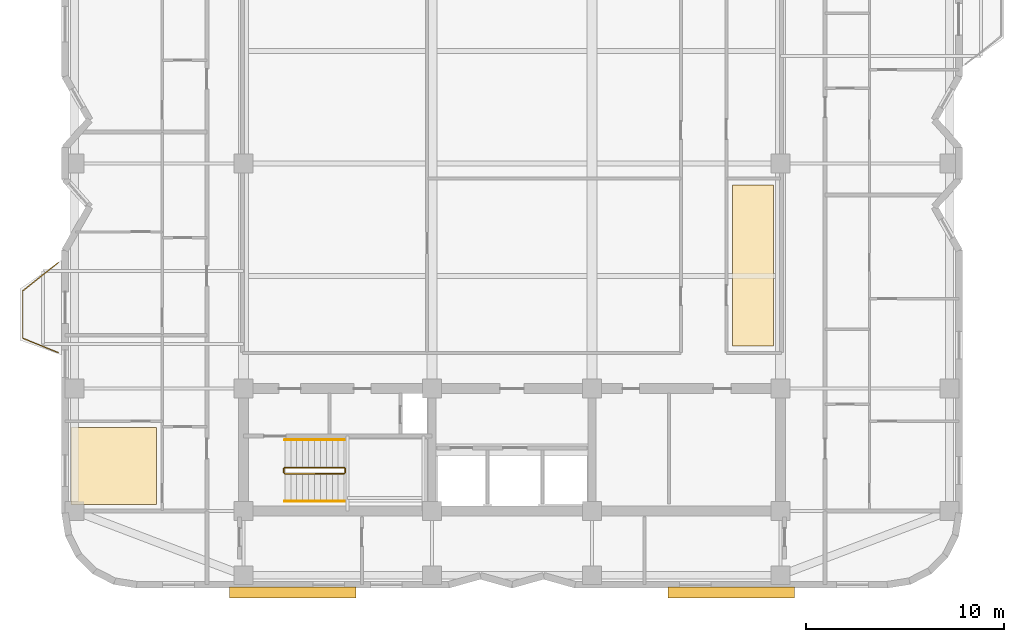
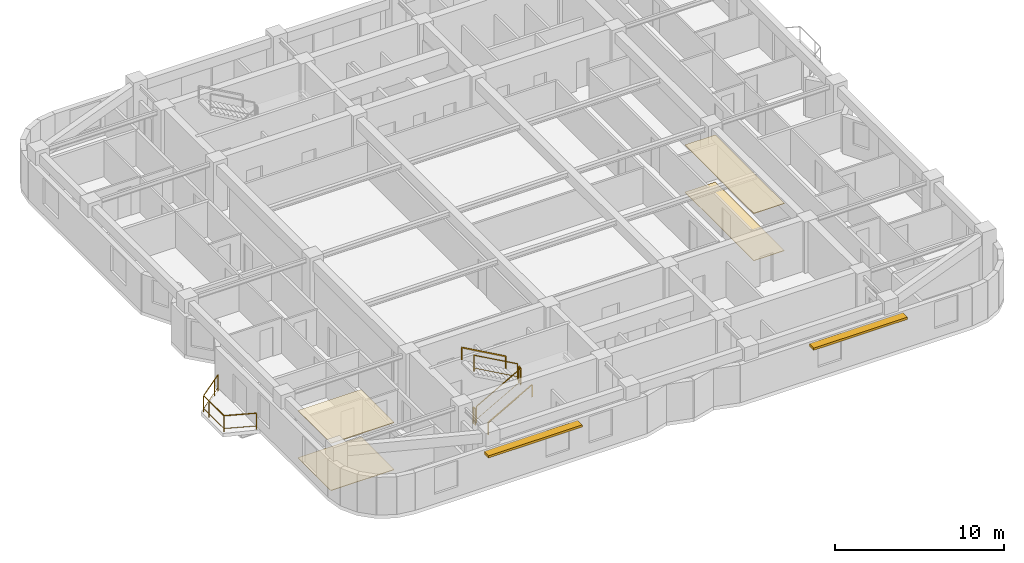
# One storey, part 8 of 9: 7 railings, 4 coverings, 2 shading devices.
"""IFC4 building model written with IfcOpenShell, lengths in metres."""

from ifc_helpers import new_model, si_unit, direction, frame, origin, origin_2d, place, context, subcontext, project, spatial, polyline, rectangle, outline, extrude, material, layer, layer_set, type_object, element, save


model = new_model("IFC4")

# Units and contexts
model_context = context("Model", 3, precision=1e-05, world=origin(), true_north=direction((0.0, 1.0)))
body_context = subcontext(model_context, "Body", "Model", "MODEL_VIEW")
ifc_project = project(units=[si_unit("LENGTHUNIT", "METRE"), si_unit("AREAUNIT", "SQUARE_METRE"), si_unit("VOLUMEUNIT", "CUBIC_METRE"), si_unit("PLANEANGLEUNIT", "RADIAN"), si_unit("MASSUNIT", "GRAM", prefix="KILO")], contexts=[model_context])

# Site, building, storey
site_placement = place(None, origin())
site = spatial("IfcSite", under=ifc_project, at=site_placement, CompositionType="ELEMENT")
building_placement = place(site_placement, origin())
building = spatial("IfcBuilding", under=site, at=building_placement, Name="Svetorya Sky Lyceum", CompositionType="ELEMENT")
storey_placement = place(building_placement, frame((0.0, 0.0, 166.300048828125)))
storey = spatial("IfcBuildingStorey", under=building, at=storey_placement, Name="L41", CompositionType="ELEMENT", Elevation=166.300048828125)

# Coverings
ifc_material_1 = material(Name="Anodized aluminium linear acoustic ceiling baffle", Category="aluminium")
ifc_layer_1 = layer(ifc_material_1, 0.0400390625)
ifc_layer_set_1 = layer_set([ifc_layer_1], Name="Anodized aluminium linear acoustic ceiling baffle")
covering_type_1 = type_object("IfcCoveringType", Name="COV-CLG-BAF40", PredefinedType="CEILING", material=ifc_layer_set_1)
covering_1_placement = place(storey_placement, frame((0.0, 0.0, 3.39990234375)))
element("IfcCovering", 1, at=covering_1_placement, inside=storey, type_object=covering_type_1, Name="Residents Club Hall L41 Acoustic Ceiling", PredefinedType="CEILING", context=body_context, shape_type="SweptSolid", body=[
    extrude(outline(polyline([(50.3701171875, 18.949951171875), (52.449951171875, 18.949951171875), (52.449951171875, 27.1044921875), (50.3701171875, 27.1044921875), (50.3701171875, 18.949951171875)])), origin(), (0.0, 0.0, 1.0), 0.0400390625),
])
covering_2_placement = place(storey_placement, frame((0.0, 0.0, 3.39990234375)))
element("IfcCovering", 2, at=covering_2_placement, inside=storey, type_object=covering_type_1, Name="Apartment W1 Living Room Acoustic Ceiling", PredefinedType="CEILING", context=body_context, shape_type="SweptSolid", body=[
    extrude(outline(polyline([(16.8701171875, 10.929931640625), (21.18994140625, 10.929931640625), (21.18994140625, 14.840087890625), (16.8701171875, 14.840087890625), (16.8701171875, 10.929931640625)])), origin(), (0.0, 0.0, 1.0), 0.0400390625),
])
ifc_material_2 = material(Name="Flamed granite slip-resistant lobby flooring", Category="masonry")
ifc_layer_2 = layer(ifc_material_2, 0.034912109375)
ifc_layer_set_2 = layer_set([ifc_layer_2], Name="Flamed granite slip-resistant lobby flooring")
covering_type_2 = type_object("IfcCoveringType", Name="COV-FLR-GRN", PredefinedType="FLOORING", material=ifc_layer_set_2)
covering_3_placement = place(storey_placement, origin())
element("IfcCovering", 3, at=covering_3_placement, inside=storey, type_object=covering_type_2, Name="Residents Club Hall L41 Architectural Flooring", PredefinedType="FLOORING", context=body_context, shape_type="SweptSolid", body=[
    extrude(outline(polyline([(50.3701171875, 18.949951171875), (52.449951171875, 18.949951171875), (52.449951171875, 27.1044921875), (50.3701171875, 27.1044921875), (50.3701171875, 18.949951171875)])), origin(), (0.0, 0.0, 1.0), 0.034912109375),
])
covering_4_placement = place(storey_placement, origin())
element("IfcCovering", 4, at=covering_4_placement, inside=storey, type_object=covering_type_2, Name="Apartment W1 Living Room Architectural Flooring", PredefinedType="FLOORING", context=body_context, shape_type="SweptSolid", body=[
    extrude(outline(polyline([(16.8701171875, 10.929931640625), (21.18994140625, 10.929931640625), (21.18994140625, 14.840087890625), (16.8701171875, 14.840087890625), (16.8701171875, 10.929931640625)])), origin(), (0.0, 0.0, 1.0), 0.034912109375),
])

# Railings
ifc_material_3 = material(Name="Laminated safety glass and stainless AISI 316", Category="glass")
railing_type_1 = type_object("IfcRailingType", Name="RL-BAL-1200", PredefinedType="BALUSTRADE", material=ifc_material_3)
railing_1_placement = place(storey_placement, frame((16.22998046875, 18.6201171875, 0.0)))
element("IfcRailing", 5, at=railing_1_placement, inside=storey, type_object=railing_type_1, Name="L41 Balcony Balustrade BAL-W1", PredefinedType="BALUSTRADE", context=body_context, shape_type="SweptSolid", body=[
    extrude(rectangle(XDim=0.048095703125, YDim=0.048095703125, at=origin_2d()), frame((0.0, 0.0, 1.17578125), z_axis=(-0.926697865975, 0.375807218129, 0.0), x_axis=(-0.375807218129, -0.926697865975, 0.0)), (0.0, 0.0, 1.0), 1.9423828125),
    extrude(rectangle(XDim=0.02392578125, YDim=0.02392578125, at=origin_2d()), frame((0.0, 0.0, 0.25), z_axis=(-0.926697865975, 0.375807218129, 0.0), x_axis=(-0.375807218129, -0.926697865975, 0.0)), (0.0, 0.0, 1.0), 1.9423828125),
    extrude(rectangle(XDim=0.048095703125, YDim=0.048095703125, at=origin_2d()), frame((-1.800048828125, 0.72998046875, 1.17578125), z_axis=(0.0, 1.0, 0.0), x_axis=(-1.0, 0.0, 0.0)), (0.0, 0.0, 1.0), 2.39990234375),
    extrude(rectangle(XDim=0.02392578125, YDim=0.02392578125, at=origin_2d()), frame((-1.800048828125, 0.72998046875, 0.25), z_axis=(0.0, 1.0, 0.0), x_axis=(-1.0, 0.0, 0.0)), (0.0, 0.0, 1.0), 2.39990234375),
    extrude(rectangle(XDim=0.048095703125, YDim=0.048095703125, at=origin_2d()), frame((-1.800048828125, 3.1298828125, 1.17578125), z_axis=(0.783008919264, 0.622010476079, 0.0), x_axis=(-0.622010476079, 0.783008919264, 0.0)), (0.0, 0.0, 1.0), 2.298828125),
    extrude(rectangle(XDim=0.02392578125, YDim=0.02392578125, at=origin_2d()), frame((-1.800048828125, 3.1298828125, 0.25), z_axis=(0.783008919264, 0.622010476079, 0.0), x_axis=(-0.622010476079, 0.783008919264, 0.0)), (0.0, 0.0, 1.0), 2.298828125),
    extrude(rectangle(XDim=0.0419921875, YDim=0.0419921875, at=origin_2d()), origin(), (0.0, 0.0, 1.0), 1.15185546875),
    extrude(rectangle(XDim=0.0419921875, YDim=0.0419921875, at=origin_2d()), frame((-1.800048828125, 0.72998046875, 0.0)), (0.0, 0.0, 1.0), 1.15185546875),
    extrude(rectangle(XDim=0.0419921875, YDim=0.0419921875, at=origin_2d()), frame((-1.800048828125, 2.47998046875, 0.0)), (0.0, 0.0, 1.0), 1.15185546875),
    extrude(rectangle(XDim=0.0419921875, YDim=0.0419921875, at=origin_2d()), frame((-1.800048828125, 3.1298828125, 0.0)), (0.0, 0.0, 1.0), 1.15185546875),
    extrude(rectangle(XDim=0.0419921875, YDim=0.0419921875, at=origin_2d()), frame((-0.4296875, 4.218505859375, 0.0)), (0.0, 0.0, 1.0), 1.15185546875),
    extrude(rectangle(XDim=0.0419921875, YDim=0.0419921875, at=origin_2d()), frame((0.0, 4.559814453125, 0.0)), (0.0, 0.0, 1.0), 1.15185546875),
])
ifc_material_4 = material(Name="Painted galvanized stair well guard")
railing_type_2 = type_object("IfcRailingType", Name="RL-STR-GUARD-1200", PredefinedType="GUARDRAIL", material=ifc_material_4)
railing_2_placement = place(storey_placement, frame((27.699951171875, 12.5, 0.168212890625)))
element("IfcRailing", 6, at=railing_2_placement, inside=storey, type_object=railing_type_2, Name="L41 ST-S stair guard 1", PredefinedType="GUARDRAIL", context=body_context, shape_type="SweptSolid", body=[
    extrude(rectangle(XDim=0.048095703125, YDim=0.048095703125, at=origin_2d()), frame((0.0, 0.0, 1.17578125), z_axis=(0.872302573547, 0.0, 0.488966481656), x_axis=(0.0, 1.0, 0.0)), (0.0, 0.0, 1.0), 3.439208984375),
    extrude(rectangle(XDim=0.02392578125, YDim=0.02392578125, at=origin_2d()), frame((0.0, 0.0, 0.25), z_axis=(0.872302573547, 0.0, 0.488966481656), x_axis=(0.0, 1.0, 0.0)), (0.0, 0.0, 1.0), 3.439208984375),
    extrude(rectangle(XDim=0.0419921875, YDim=0.0419921875, at=origin_2d()), origin(), (0.0, 0.0, 1.0), 1.15185546875),
    extrude(rectangle(XDim=0.0419921875, YDim=0.0419921875, at=origin_2d()), frame((3.0, 0.0, 1.681640625)), (0.0, 0.0, 1.0), 1.15185546875),
])
railing_3_placement = place(storey_placement, frame((30.75, 12.550048828125, 1.849853515625)))
element("IfcRailing", 7, at=railing_3_placement, inside=storey, type_object=railing_type_2, Name="L41 ST-S stair guard 2", PredefinedType="GUARDRAIL", context=body_context, shape_type="SweptSolid", body=[
    extrude(rectangle(XDim=0.048095703125, YDim=0.048095703125, at=origin_2d()), frame((0.0, 0.0, 1.17578125), z_axis=(0.0, 1.0, 0.0), x_axis=(-1.0, 0.0, 0.0)), (0.0, 0.0, 1.0), 0.199951171875),
    extrude(rectangle(XDim=0.02392578125, YDim=0.02392578125, at=origin_2d()), frame((0.0, 0.0, 0.25), z_axis=(0.0, 1.0, 0.0), x_axis=(-1.0, 0.0, 0.0)), (0.0, 0.0, 1.0), 0.199951171875),
    extrude(rectangle(XDim=0.0419921875, YDim=0.0419921875, at=origin_2d()), origin(), (0.0, 0.0, 1.0), 1.15185546875),
    extrude(rectangle(XDim=0.0419921875, YDim=0.0419921875, at=origin_2d()), frame((0.0, 0.199951171875, 0.0)), (0.0, 0.0, 1.0), 1.15185546875),
])
railing_4_placement = place(storey_placement, frame((30.699951171875, 12.800048828125, 2.01806640625)))
element("IfcRailing", 8, at=railing_4_placement, inside=storey, type_object=railing_type_2, Name="L41 ST-S stair guard 3", PredefinedType="GUARDRAIL", context=body_context, shape_type="SweptSolid", body=[
    extrude(rectangle(XDim=0.048095703125, YDim=0.048095703125, at=origin_2d()), frame((0.0, 0.0, 1.17578125), z_axis=(-0.872272294576, 0.0, 0.489020494575), x_axis=(0.0, -1.0, 0.0)), (0.0, 0.0, 1.0), 3.439208984375),
    extrude(rectangle(XDim=0.02392578125, YDim=0.02392578125, at=origin_2d()), frame((0.0, 0.0, 0.25), z_axis=(-0.872272294576, 0.0, 0.489020494575), x_axis=(0.0, -1.0, 0.0)), (0.0, 0.0, 1.0), 3.439208984375),
    extrude(rectangle(XDim=0.0419921875, YDim=0.0419921875, at=origin_2d()), origin(), (0.0, 0.0, 1.0), 1.15185546875),
    extrude(rectangle(XDim=0.0419921875, YDim=0.0419921875, at=origin_2d()), frame((-3.0, 0.0, 1.681884765625)), (0.0, 0.0, 1.0), 1.15185546875),
])
railing_5_placement = place(storey_placement, frame((27.64990234375, 12.550048828125, 0.0)))
element("IfcRailing", 9, at=railing_5_placement, inside=storey, type_object=railing_type_2, Name="L41 ST-S stair guard 4", PredefinedType="GUARDRAIL", context=body_context, shape_type="SweptSolid", body=[
    extrude(rectangle(XDim=0.048095703125, YDim=0.048095703125, at=origin_2d()), frame((0.0, 0.0, 1.17578125), z_axis=(0.0, 1.0, 0.0), x_axis=(-1.0, 0.0, 0.0)), (0.0, 0.0, 1.0), 0.199951171875),
    extrude(rectangle(XDim=0.02392578125, YDim=0.02392578125, at=origin_2d()), frame((0.0, 0.0, 0.25), z_axis=(0.0, 1.0, 0.0), x_axis=(-1.0, 0.0, 0.0)), (0.0, 0.0, 1.0), 0.199951171875),
    extrude(rectangle(XDim=0.0419921875, YDim=0.0419921875, at=origin_2d()), origin(), (0.0, 0.0, 1.0), 1.15185546875),
    extrude(rectangle(XDim=0.0419921875, YDim=0.0419921875, at=origin_2d()), frame((0.0, 0.199951171875, 0.0)), (0.0, 0.0, 1.0), 1.15185546875),
])
ifc_material_5 = material(Name="Brushed stainless AISI 304 stair handrail")
railing_type_3 = type_object("IfcRailingType", Name="RL-STR-HAND-920", PredefinedType="HANDRAIL", material=ifc_material_5)
railing_6_placement = place(storey_placement, frame((27.699951171875, 11.10009765625, 0.168212890625)))
element("IfcRailing", 10, at=railing_6_placement, inside=storey, type_object=railing_type_3, Name="L41 ST-S stair handrail 1", PredefinedType="HANDRAIL", context=body_context, shape_type="SweptSolid", body=[
    extrude(rectangle(XDim=0.048095703125, YDim=0.048095703125, at=origin_2d()), frame((0.0, 0.0, 0.8759765625), z_axis=(0.872302573547, 0.0, 0.488966481656), x_axis=(0.0, 1.0, 0.0)), (0.0, 0.0, 1.0), 3.439208984375),
    extrude(rectangle(XDim=0.0419921875, YDim=0.0419921875, at=origin_2d()), origin(), (0.0, 0.0, 1.0), 0.851806640625),
    extrude(rectangle(XDim=0.0419921875, YDim=0.0419921875, at=origin_2d()), frame((3.0, 0.0, 1.681640625)), (0.0, 0.0, 1.0), 0.851806640625),
])
railing_7_placement = place(storey_placement, frame((30.699951171875, 14.199951171875, 2.01806640625)))
element("IfcRailing", 11, at=railing_7_placement, inside=storey, type_object=railing_type_3, Name="L41 ST-S stair handrail 2", PredefinedType="HANDRAIL", context=body_context, shape_type="SweptSolid", body=[
    extrude(rectangle(XDim=0.048095703125, YDim=0.048095703125, at=origin_2d()), frame((0.0, 0.0, 0.8759765625), z_axis=(-0.872272294576, 0.0, 0.489020494575), x_axis=(0.0, -1.0, 0.0)), (0.0, 0.0, 1.0), 3.439208984375),
    extrude(rectangle(XDim=0.0419921875, YDim=0.0419921875, at=origin_2d()), origin(), (0.0, 0.0, 1.0), 0.851806640625),
    extrude(rectangle(XDim=0.0419921875, YDim=0.0419921875, at=origin_2d()), frame((-3.0, 0.0, 1.681884765625)), (0.0, 0.0, 1.0), 0.851806640625),
])

# Shading devices
ifc_material_6 = material(Name="Champagne-anodized extruded aluminium sunshade", Category="aluminium")
ifc_layer_3 = layer(ifc_material_6, 0.159912109375)
ifc_layer_set_3 = layer_set([ifc_layer_3], Name="Champagne-anodized extruded aluminium sunshade")
shading_device_type = type_object("IfcShadingDeviceType", Name="SHD-LVR-540", PredefinedType="AWNING", material=ifc_layer_set_3)
for number, where, z_axis, x_axis, name in (
    (12, (28.10009765625, 6.47998046875, 2.419921875), (0.0, 0.0, 1.0), (1.0, 0.0, 0.0), "L41 Solar Brise-Soleil SHD-1.6M"),
    (13, (50.300048828125, 6.47998046875, 2.419921875), (0.0, 0.0, 1.0), (1.0, 0.0, 0.0), "L41 Solar Brise-Soleil SHD-1.11M"),
):
    element("IfcShadingDevice", number, at=place(storey_placement, frame(where, z_axis=z_axis, x_axis=x_axis)), inside=storey, type_object=shading_device_type, Name=name, PredefinedType="AWNING", context=body_context, shape_type="SweptSolid", body=[
        extrude(rectangle(XDim=6.39990234375, YDim=0.5400390625, at=origin_2d()), origin(), (0.0, 0.0, 1.0), 0.159912109375),
    ])

save(model, "model.ifc")
